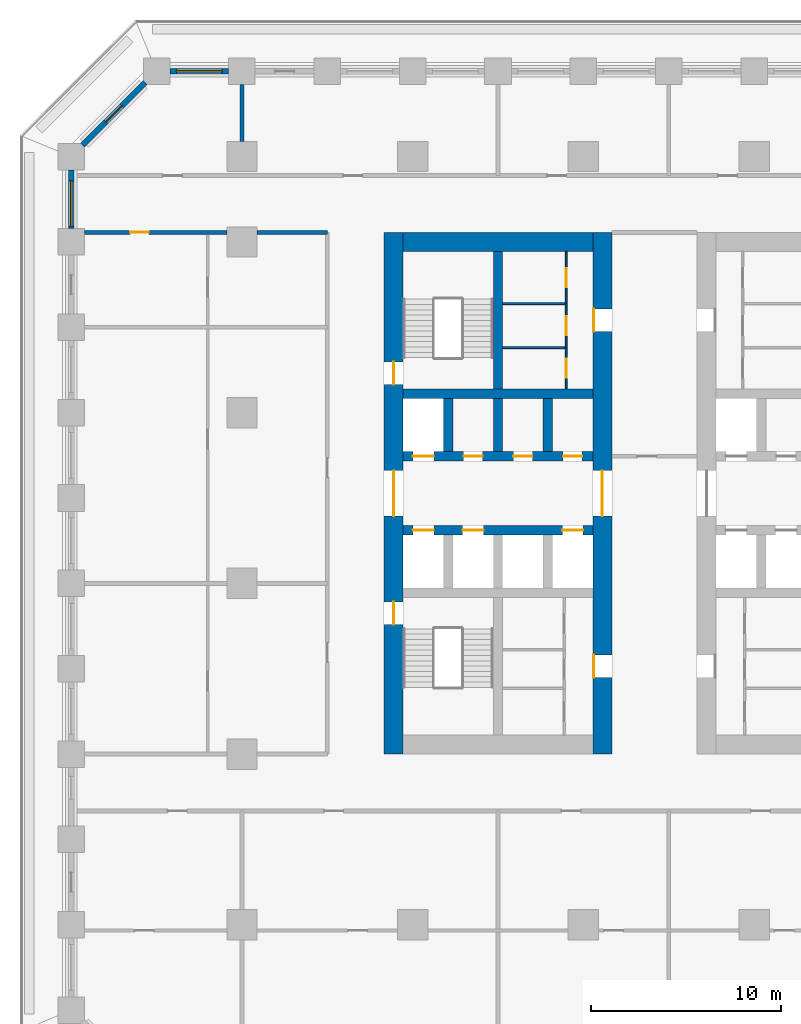
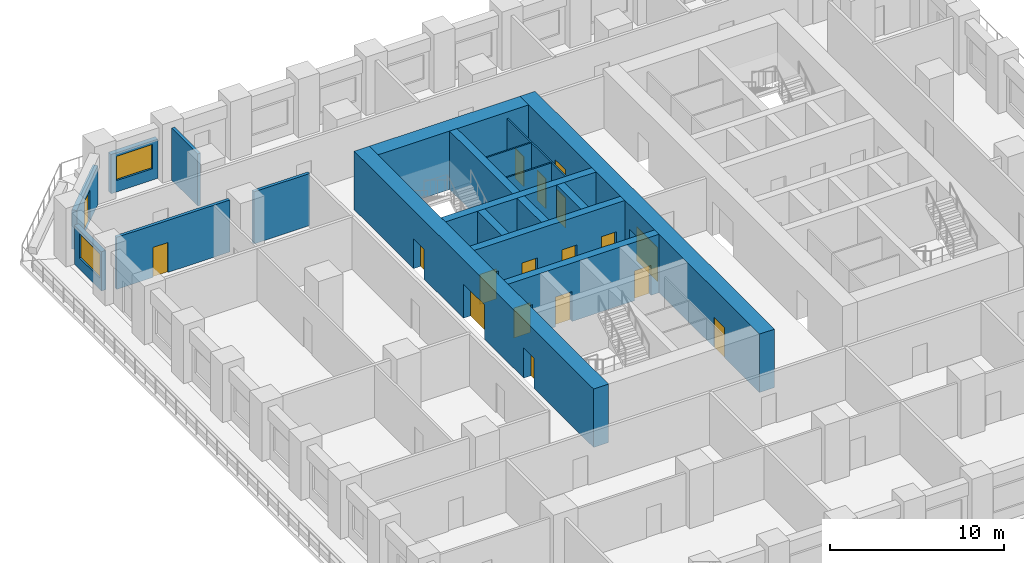
# One storey, part 28 of 42: 21 walls, 18 doors, 2 windows, 20 openings.
"""IFC4 building model written with IfcOpenShell, lengths in metres."""

from ifc_helpers import new_model, si_unit, direction, frame, frame_2d, origin, place, context, subcontext, project, spatial, rectangle, extrude, material, layer, layer_set, type_object, element, fill, save


model = new_model("IFC4")

# Units and contexts
model_context = context("Model", 3, precision=1e-05, world=origin(), true_north=direction((0.0, 1.0)))
body_context = subcontext(model_context, "Body", "Model", "MODEL_VIEW")
ifc_project = project(units=[si_unit("LENGTHUNIT", "METRE"), si_unit("AREAUNIT", "SQUARE_METRE"), si_unit("VOLUMEUNIT", "CUBIC_METRE"), si_unit("PLANEANGLEUNIT", "RADIAN"), si_unit("MASSUNIT", "GRAM", prefix="KILO")], contexts=[model_context])

# Site, building, storey
site_placement = place(None, origin())
site = spatial("IfcSite", under=ifc_project, at=site_placement, CompositionType="ELEMENT")
building_placement = place(site_placement, origin())
building = spatial("IfcBuilding", under=site, at=building_placement, Name="Corbel Stack Research Tower", CompositionType="ELEMENT")
storey_placement = place(building_placement, frame((0.0, 0.0, 11.300048828125)))
storey = spatial("IfcBuildingStorey", under=building, at=storey_placement, Name="L02", CompositionType="ELEMENT", Elevation=11.300048828125)

# Wall, openings, doors
ifc_material_1 = material(Name="Concrete C70/85", Category="concrete")
ifc_layer_1 = layer(ifc_material_1, 1.0)
ifc_layer_set_1 = layer_set([ifc_layer_1], Name="Concrete C70/85")
wall_type_1 = type_object("IfcWallType", Name="CW-1000-70", PredefinedType="SHEAR", material=ifc_layer_set_1)
wall_1_placement = place(storey_placement, frame((-10.0, -9.0, 0.0), z_axis=(0.0, 0.0, 1.0), x_axis=(0.0, 1.0, 0.0)))
wall_1 = element("IfcWall", 1, at=wall_1_placement, inside=storey, type_object=wall_type_1, Name="West core wall, west face L02", PredefinedType="SHEAR", context=body_context, shape_type="SweptSolid", body=[
    extrude(rectangle(XDim=27.5, YDim=1.0, at=frame_2d((13.75, 0.0))), origin(), (0.0, 0.0, 1.0), 4.099853515625),
])
opening_1_placement = place(wall_1_placement, frame((12.550048828125, 0.0, 0.0)))
opening_1 = element("IfcOpeningElement", 2, at=opening_1_placement, cuts=wall_1, Name="Opening CD-W-W", PredefinedType="OPENING", context=body_context, shape_type="SweptSolid", body=[
    extrude(rectangle(XDim=2.39990234375, YDim=2.39990234375, at=frame_2d((1.199951171875, 1.199951171875))), frame((0.0, 0.510009765625, 0.0), z_axis=(0.0, -1.0, 0.0), x_axis=(1.0, 0.0, 0.0)), (0.0, 0.0, 1.0), 1.02001953125),
])
opening_2_placement = place(wall_1_placement, frame((6.824951171875, 0.0, 0.0)))
opening_2 = element("IfcOpeningElement", 3, at=opening_2_placement, cuts=wall_1, Name="Opening SD-ST-W1", PredefinedType="OPENING", context=body_context, shape_type="SweptSolid", body=[
    extrude(rectangle(XDim=1.199951171875, YDim=2.10009765625, at=frame_2d((0.60009765625, 1.050048828125))), frame((0.0, 0.510009765625, 0.0), z_axis=(0.0, -1.0, 0.0), x_axis=(1.0, 0.0, 0.0)), (0.0, 0.0, 1.0), 1.02001953125),
])
opening_3_placement = place(wall_1_placement, frame((19.47509765625, 0.0, 0.0)))
opening_3 = element("IfcOpeningElement", 4, at=opening_3_placement, cuts=wall_1, Name="Opening SD-ST-W2", PredefinedType="OPENING", context=body_context, shape_type="SweptSolid", body=[
    extrude(rectangle(XDim=1.199951171875, YDim=2.10009765625, at=frame_2d((0.60009765625, 1.050048828125))), frame((0.0, 0.510009765625, 0.0), z_axis=(0.0, -1.0, 0.0), x_axis=(1.0, 0.0, 0.0)), (0.0, 0.0, 1.0), 1.02001953125),
])
ifc_material_2 = material(Name="Painted steel fire door", Category="steel")
door_type_1 = type_object("IfcDoorType", Name="Lobby door pair 2400 x 2400 FD30S", OperationType="DOUBLE_DOOR_DOUBLE_SWING", PredefinedType="DOOR", material=ifc_material_2)
door_1_placement = place(opening_1_placement, origin())
door_1 = element("IfcDoor", 5, at=door_1_placement, inside=storey, type_object=door_type_1, Name="Lift lobby door W core W", OperationType="DOUBLE_DOOR_DOUBLE_SWING", OverallHeight=2.39990234375, OverallWidth=2.39990234375, PredefinedType="DOOR", context=body_context, shape_type="SweptSolid", body=[
    extrude(rectangle(XDim=2.39990234375, YDim=2.39990234375, at=frame_2d((1.199951171875, 1.199951171875))), frame((0.0, 0.02490234375, 0.0), z_axis=(0.0, -1.0, 0.0), x_axis=(1.0, 0.0, 0.0)), (0.0, 0.0, 1.0), 0.050048828125),
])
fill(opening_1, door_1)
ifc_material_3 = material(Name="Painted steel fire door", Category="steel")
door_type_2 = type_object("IfcDoorType", Name="Stair door 1200 x 2100 FD90 left hand", OperationType="SINGLE_SWING_LEFT", PredefinedType="DOOR", material=ifc_material_3)
door_2_placement = place(opening_2_placement, origin())
door_2 = element("IfcDoor", 6, at=door_2_placement, inside=storey, type_object=door_type_2, Name="Stair door ST-W1", OperationType="SINGLE_SWING_LEFT", OverallHeight=2.10009765625, OverallWidth=1.199951171875, PredefinedType="DOOR", context=body_context, shape_type="SweptSolid", body=[
    extrude(rectangle(XDim=1.199951171875, YDim=2.10009765625, at=frame_2d((0.60009765625, 1.050048828125))), frame((0.0, 0.02490234375, 0.0), z_axis=(0.0, -1.0, 0.0), x_axis=(1.0, 0.0, 0.0)), (0.0, 0.0, 1.0), 0.050048828125),
])
fill(opening_2, door_2)
door_3_placement = place(opening_3_placement, origin())
door_3 = element("IfcDoor", 7, at=door_3_placement, inside=storey, type_object=door_type_2, Name="Stair door ST-W2", OperationType="SINGLE_SWING_LEFT", OverallHeight=2.10009765625, OverallWidth=1.199951171875, PredefinedType="DOOR", context=body_context, shape_type="SweptSolid", body=[
    extrude(rectangle(XDim=1.199951171875, YDim=2.10009765625, at=frame_2d((0.60009765625, 1.050048828125))), frame((0.0, 0.02490234375, 0.0), z_axis=(0.0, -1.0, 0.0), x_axis=(1.0, 0.0, 0.0)), (0.0, 0.0, 1.0), 0.050048828125),
])
fill(opening_3, door_3)

wall_2_placement = place(storey_placement, frame((1.0, -9.0, 0.0), z_axis=(0.0, 0.0, 1.0), x_axis=(0.0, 1.0, 0.0)))
wall_2 = element("IfcWall", 8, at=wall_2_placement, inside=storey, type_object=wall_type_1, Name="West core wall, east face L02", PredefinedType="SHEAR", context=body_context, shape_type="SweptSolid", body=[
    extrude(rectangle(XDim=27.5, YDim=1.0, at=frame_2d((13.75, 0.0))), origin(), (0.0, 0.0, 1.0), 4.099853515625),
])
opening_4_placement = place(wall_2_placement, frame((12.550048828125, 0.0, 0.0)))
opening_4 = element("IfcOpeningElement", 9, at=opening_4_placement, cuts=wall_2, Name="Opening CD-W-E", PredefinedType="OPENING", context=body_context, shape_type="SweptSolid", body=[
    extrude(rectangle(XDim=2.39990234375, YDim=2.39990234375, at=frame_2d((1.199951171875, 1.199951171875))), frame((0.0, 0.510009765625, 0.0), z_axis=(0.0, -1.0, 0.0), x_axis=(1.0, 0.0, 0.0)), (0.0, 0.0, 1.0), 1.02001953125),
])
opening_5_placement = place(wall_2_placement, frame((4.02490234375, 0.0, 0.0)))
opening_5 = element("IfcOpeningElement", 10, at=opening_5_placement, cuts=wall_2, Name="Opening CR-W12-W1-1200", PredefinedType="OPENING", context=body_context, shape_type="SweptSolid", body=[
    extrude(rectangle(XDim=1.199951171875, YDim=2.10009765625, at=frame_2d((0.60009765625, 1.050048828125))), frame((0.0, 0.510009765625, 0.0), z_axis=(0.0, -1.0, 0.0), x_axis=(1.0, 0.0, 0.0)), (0.0, 0.0, 1.0), 1.02001953125),
])
opening_6_placement = place(wall_2_placement, frame((22.27490234375, 0.0, 0.0)))
opening_6 = element("IfcOpeningElement", 11, at=opening_6_placement, cuts=wall_2, Name="Opening CR-W12-R1-1200", PredefinedType="OPENING", context=body_context, shape_type="SweptSolid", body=[
    extrude(rectangle(XDim=1.199951171875, YDim=2.10009765625, at=frame_2d((0.60009765625, 1.050048828125))), frame((0.0, 0.510009765625, 0.0), z_axis=(0.0, -1.0, 0.0), x_axis=(1.0, 0.0, 0.0)), (0.0, 0.0, 1.0), 1.02001953125),
])
door_4_placement = place(opening_4_placement, origin())
door_4 = element("IfcDoor", 12, at=door_4_placement, inside=storey, type_object=door_type_1, Name="Lift lobby door W core E", OperationType="DOUBLE_DOOR_DOUBLE_SWING", OverallHeight=2.39990234375, OverallWidth=2.39990234375, PredefinedType="DOOR", context=body_context, shape_type="SweptSolid", body=[
    extrude(rectangle(XDim=2.39990234375, YDim=2.39990234375, at=frame_2d((1.199951171875, 1.199951171875))), frame((0.0, 0.02490234375, 0.0), z_axis=(0.0, -1.0, 0.0), x_axis=(1.0, 0.0, 0.0)), (0.0, 0.0, 1.0), 0.050048828125),
])
fill(opening_4, door_4)
ifc_material_4 = material(Name="Painted steel door", Category="steel")
door_type_3 = type_object("IfcDoorType", Name="Service door 1200 x 2100 FD30 left hand", OperationType="SINGLE_SWING_LEFT", PredefinedType="DOOR", material=ifc_material_4)
door_5_placement = place(opening_6_placement, origin())
door_5 = element("IfcDoor", 13, at=door_5_placement, inside=storey, type_object=door_type_3, Name="Service passage door W core", OperationType="SINGLE_SWING_LEFT", OverallHeight=2.10009765625, OverallWidth=1.199951171875, PredefinedType="DOOR", context=body_context, shape_type="SweptSolid", body=[
    extrude(rectangle(XDim=1.199951171875, YDim=2.10009765625, at=frame_2d((0.60009765625, 1.050048828125))), frame((0.0, 0.47509765625, 0.0), z_axis=(0.0, -1.0, 0.0), x_axis=(1.0, 0.0, 0.0)), (0.0, 0.0, 1.0), 0.050048828125),
])
fill(opening_6, door_5)
ifc_material_5 = material(Name="Painted timber door", Category="wood")
door_type_4 = type_object("IfcDoorType", Name="WC door 1200 x 2100 left hand", OperationType="SINGLE_SWING_LEFT", PredefinedType="DOOR", material=ifc_material_5)
door_6_placement = place(opening_5_placement, origin())
door_6 = element("IfcDoor", 14, at=door_6_placement, inside=storey, type_object=door_type_4, Name="WC lobby door W core", OperationType="SINGLE_SWING_LEFT", OverallHeight=2.10009765625, OverallWidth=1.199951171875, PredefinedType="DOOR", context=body_context, shape_type="SweptSolid", body=[
    extrude(rectangle(XDim=1.199951171875, YDim=2.10009765625, at=frame_2d((0.60009765625, 1.050048828125))), frame((0.0, 0.47509765625, 0.0), z_axis=(0.0, -1.0, 0.0), x_axis=(1.0, 0.0, 0.0)), (0.0, 0.0, 1.0), 0.050048828125),
])
fill(opening_5, door_6)

# Wall
wall_3_placement = place(storey_placement, frame((-9.5, 18.0, 0.0), z_axis=(0.0, 0.0, 1.0), x_axis=(1.0, 0.0, 0.0)))
element("IfcWall", 15, at=wall_3_placement, inside=storey, type_object=wall_type_1, Name="West core wall, north end L02", PredefinedType="SHEAR", context=body_context, shape_type="SweptSolid", body=[
    extrude(rectangle(XDim=10.0, YDim=1.0, at=frame_2d((5.0, 0.0))), origin(), (0.0, 0.0, 1.0), 4.099853515625),
])

# Wall, openings, doors
ifc_material_6 = material(Name="Concrete C70/85", Category="concrete")
ifc_layer_2 = layer(ifc_material_6, 0.5)
ifc_layer_set_2 = layer_set([ifc_layer_2], Name="Concrete C70/85")
wall_type_2 = type_object("IfcWallType", Name="CW-500-70", PredefinedType="SHEAR", material=ifc_layer_set_2)
wall_4_placement = place(storey_placement, frame((-9.5, 2.800048828125, 0.0), z_axis=(0.0, 0.0, 1.0), x_axis=(1.0, 0.0, 0.0)))
wall_4 = element("IfcWall", 16, at=wall_4_placement, inside=storey, type_object=wall_type_2, Name="West core wall, lobby south L02", PredefinedType="SHEAR", context=body_context, shape_type="SweptSolid", body=[
    extrude(rectangle(XDim=10.0, YDim=0.5, at=frame_2d((5.0, 0.0))), origin(), (0.0, 0.0, 1.0), 4.099853515625),
])
opening_7_placement = place(wall_4_placement, frame((0.512451171875, 0.0, 0.0)))
opening_7 = element("IfcOpeningElement", 17, at=opening_7_placement, cuts=wall_4, Name="Opening LD-FS1", PredefinedType="OPENING", context=body_context, shape_type="SweptSolid", body=[
    extrude(rectangle(XDim=1.10009765625, YDim=2.10009765625, at=frame_2d((0.550048828125, 1.050048828125))), frame((0.0, 0.260009765625, 0.0), z_axis=(0.0, -1.0, 0.0), x_axis=(1.0, 0.0, 0.0)), (0.0, 0.0, 1.0), 0.52001953125),
])
opening_8_placement = place(wall_4_placement, frame((3.137451171875, 0.0, 0.0)))
opening_8 = element("IfcOpeningElement", 18, at=opening_8_placement, cuts=wall_4, Name="Opening LD-GL1", PredefinedType="OPENING", context=body_context, shape_type="SweptSolid", body=[
    extrude(rectangle(XDim=1.10009765625, YDim=2.10009765625, at=frame_2d((0.550048828125, 1.050048828125))), frame((0.0, 0.260009765625, 0.0), z_axis=(0.0, -1.0, 0.0), x_axis=(1.0, 0.0, 0.0)), (0.0, 0.0, 1.0), 0.52001953125),
])
opening_9_placement = place(wall_4_placement, frame((8.387451171875, 0.0, 0.0)))
opening_9 = element("IfcOpeningElement", 19, at=opening_9_placement, cuts=wall_4, Name="Opening LD-LR1", PredefinedType="OPENING", context=body_context, shape_type="SweptSolid", body=[
    extrude(rectangle(XDim=1.10009765625, YDim=2.10009765625, at=frame_2d((0.550048828125, 1.050048828125))), frame((0.0, 0.260009765625, 0.0), z_axis=(0.0, -1.0, 0.0), x_axis=(1.0, 0.0, 0.0)), (0.0, 0.0, 1.0), 0.52001953125),
])
ifc_material_7 = material(Name="Stainless steel landing door", Category="steel")
door_type_5 = type_object("IfcDoorType", Name="Lift landing door 1100 x 2100", OperationType="DOUBLE_DOOR_SLIDING", PredefinedType="DOOR", material=ifc_material_7)
door_7_placement = place(opening_7_placement, origin())
door_7 = element("IfcDoor", 20, at=door_7_placement, inside=storey, type_object=door_type_5, Name="Landing door FS1", OperationType="DOUBLE_DOOR_SLIDING", OverallHeight=2.10009765625, OverallWidth=1.10009765625, PredefinedType="DOOR", context=body_context, shape_type="SweptSolid", body=[
    extrude(rectangle(XDim=1.10009765625, YDim=2.10009765625, at=frame_2d((0.550048828125, 1.050048828125))), frame((0.0, 0.02490234375, 0.0), z_axis=(0.0, -1.0, 0.0), x_axis=(1.0, 0.0, 0.0)), (0.0, 0.0, 1.0), 0.050048828125),
])
fill(opening_7, door_7)
door_8_placement = place(opening_8_placement, origin())
door_8 = element("IfcDoor", 21, at=door_8_placement, inside=storey, type_object=door_type_5, Name="Landing door GL1", OperationType="DOUBLE_DOOR_SLIDING", OverallHeight=2.10009765625, OverallWidth=1.10009765625, PredefinedType="DOOR", context=body_context, shape_type="SweptSolid", body=[
    extrude(rectangle(XDim=1.10009765625, YDim=2.10009765625, at=frame_2d((0.550048828125, 1.050048828125))), frame((0.0, 0.02490234375, 0.0), z_axis=(0.0, -1.0, 0.0), x_axis=(1.0, 0.0, 0.0)), (0.0, 0.0, 1.0), 0.050048828125),
])
fill(opening_8, door_8)
door_9_placement = place(opening_9_placement, origin())
door_9 = element("IfcDoor", 22, at=door_9_placement, inside=storey, type_object=door_type_5, Name="Landing door LR1", OperationType="DOUBLE_DOOR_SLIDING", OverallHeight=2.10009765625, OverallWidth=1.10009765625, PredefinedType="DOOR", context=body_context, shape_type="SweptSolid", body=[
    extrude(rectangle(XDim=1.10009765625, YDim=2.10009765625, at=frame_2d((0.550048828125, 1.050048828125))), frame((0.0, 0.02490234375, 0.0), z_axis=(0.0, -1.0, 0.0), x_axis=(1.0, 0.0, 0.0)), (0.0, 0.0, 1.0), 0.050048828125),
])
fill(opening_9, door_9)

wall_5_placement = place(storey_placement, frame((-9.5, 6.699951171875, 0.0), z_axis=(0.0, 0.0, 1.0), x_axis=(1.0, 0.0, 0.0)))
wall_5 = element("IfcWall", 23, at=wall_5_placement, inside=storey, type_object=wall_type_2, Name="West core wall, lobby north L02", PredefinedType="SHEAR", context=body_context, shape_type="SweptSolid", body=[
    extrude(rectangle(XDim=10.0, YDim=0.5, at=frame_2d((5.0, 0.0))), origin(), (0.0, 0.0, 1.0), 4.099853515625),
])
opening_10_placement = place(wall_5_placement, frame((0.512451171875, 0.0, 0.0)))
opening_10 = element("IfcOpeningElement", 24, at=opening_10_placement, cuts=wall_5, Name="Opening LD-LR2", PredefinedType="OPENING", context=body_context, shape_type="SweptSolid", body=[
    extrude(rectangle(XDim=1.10009765625, YDim=2.10009765625, at=frame_2d((0.550048828125, 1.050048828125))), frame((0.0, 0.260009765625, 0.0), z_axis=(0.0, -1.0, 0.0), x_axis=(1.0, 0.0, 0.0)), (0.0, 0.0, 1.0), 0.52001953125),
])
opening_11_placement = place(wall_5_placement, frame((3.1875, 0.0, 0.0)))
opening_11 = element("IfcOpeningElement", 25, at=opening_11_placement, cuts=wall_5, Name="Opening CR-W12-N2", PredefinedType="OPENING", context=body_context, shape_type="SweptSolid", body=[
    extrude(rectangle(XDim=1.0, YDim=2.10009765625, at=frame_2d((0.5, 1.050048828125))), frame((0.0, 0.260009765625, 0.0), z_axis=(0.0, -1.0, 0.0), x_axis=(1.0, 0.0, 0.0)), (0.0, 0.0, 1.0), 0.52001953125),
])
opening_12_placement = place(wall_5_placement, frame((5.8125, 0.0, 0.0)))
opening_12 = element("IfcOpeningElement", 26, at=opening_12_placement, cuts=wall_5, Name="Opening CR-W12-N3", PredefinedType="OPENING", context=body_context, shape_type="SweptSolid", body=[
    extrude(rectangle(XDim=1.0, YDim=2.10009765625, at=frame_2d((0.5, 1.050048828125))), frame((0.0, 0.260009765625, 0.0), z_axis=(0.0, -1.0, 0.0), x_axis=(1.0, 0.0, 0.0)), (0.0, 0.0, 1.0), 0.52001953125),
])
opening_13_placement = place(wall_5_placement, frame((8.4375, 0.0, 0.0)))
opening_13 = element("IfcOpeningElement", 27, at=opening_13_placement, cuts=wall_5, Name="Opening CR-W12-N4", PredefinedType="OPENING", context=body_context, shape_type="SweptSolid", body=[
    extrude(rectangle(XDim=1.0, YDim=2.10009765625, at=frame_2d((0.5, 1.050048828125))), frame((0.0, 0.260009765625, 0.0), z_axis=(0.0, -1.0, 0.0), x_axis=(1.0, 0.0, 0.0)), (0.0, 0.0, 1.0), 0.52001953125),
])
door_10_placement = place(opening_10_placement, origin())
door_10 = element("IfcDoor", 28, at=door_10_placement, inside=storey, type_object=door_type_5, Name="Landing door LR2", OperationType="DOUBLE_DOOR_SLIDING", OverallHeight=2.10009765625, OverallWidth=1.10009765625, PredefinedType="DOOR", context=body_context, shape_type="SweptSolid", body=[
    extrude(rectangle(XDim=1.10009765625, YDim=2.10009765625, at=frame_2d((0.550048828125, 1.050048828125))), frame((0.0, 0.02490234375, 0.0), z_axis=(0.0, -1.0, 0.0), x_axis=(1.0, 0.0, 0.0)), (0.0, 0.0, 1.0), 0.050048828125),
])
fill(opening_10, door_10)
ifc_material_8 = material(Name="Painted steel door", Category="steel")
door_type_6 = type_object("IfcDoorType", Name="Service door 1000 x 2100 FD60 left hand", OperationType="SINGLE_SWING_LEFT", PredefinedType="DOOR", material=ifc_material_8)
door_11_placement = place(opening_12_placement, origin())
door_11 = element("IfcDoor", 29, at=door_11_placement, inside=storey, type_object=door_type_6, Name="Laboratory consumables store door W core", OperationType="SINGLE_SWING_LEFT", OverallHeight=2.10009765625, OverallWidth=1.0, PredefinedType="DOOR", context=body_context, shape_type="SweptSolid", body=[
    extrude(rectangle(XDim=1.0, YDim=2.10009765625, at=frame_2d((0.5, 1.050048828125))), frame((0.0, 0.02490234375, 0.0), z_axis=(0.0, -1.0, 0.0), x_axis=(1.0, 0.0, 0.0)), (0.0, 0.0, 1.0), 0.050048828125),
])
fill(opening_12, door_11)
ifc_material_9 = material(Name="Painted steel door", Category="steel")
door_type_7 = type_object("IfcDoorType", Name="Service door 1000 x 2100 FD60 right hand", OperationType="SINGLE_SWING_RIGHT", PredefinedType="DOOR", material=ifc_material_9)
door_12_placement = place(opening_11_placement, origin())
door_12 = element("IfcDoor", 30, at=door_12_placement, inside=storey, type_object=door_type_7, Name="Staff WC door W core", OperationType="SINGLE_SWING_RIGHT", OverallHeight=2.10009765625, OverallWidth=1.0, PredefinedType="DOOR", context=body_context, shape_type="SweptSolid", body=[
    extrude(rectangle(XDim=1.0, YDim=2.10009765625, at=frame_2d((0.5, 1.050048828125))), frame((0.0, 0.02490234375, 0.0), z_axis=(0.0, -1.0, 0.0), x_axis=(1.0, 0.0, 0.0)), (0.0, 0.0, 1.0), 0.050048828125),
])
fill(opening_11, door_12)
door_13_placement = place(opening_13_placement, origin())
door_13 = element("IfcDoor", 31, at=door_13_placement, inside=storey, type_object=door_type_7, Name="Cleaner's store door W core", OperationType="SINGLE_SWING_RIGHT", OverallHeight=2.10009765625, OverallWidth=1.0, PredefinedType="DOOR", context=body_context, shape_type="SweptSolid", body=[
    extrude(rectangle(XDim=1.0, YDim=2.10009765625, at=frame_2d((0.5, 1.050048828125))), frame((0.0, 0.02490234375, 0.0), z_axis=(0.0, -1.0, 0.0), x_axis=(1.0, 0.0, 0.0)), (0.0, 0.0, 1.0), 0.050048828125),
])
fill(opening_13, door_13)

# Walls
wall_6_placement = place(storey_placement, frame((-9.5, 10.0, 0.0), z_axis=(0.0, 0.0, 1.0), x_axis=(1.0, 0.0, 0.0)))
element("IfcWall", 32, at=wall_6_placement, inside=storey, type_object=wall_type_2, Name="West core wall, north row back L02", PredefinedType="SHEAR", context=body_context, shape_type="SweptSolid", body=[
    extrude(rectangle(XDim=10.0, YDim=0.5, at=frame_2d((5.0, 0.0))), origin(), (0.0, 0.0, 1.0), 4.099853515625),
])
for number, where, z_axis, x_axis, name in (
    (33, (-7.125, 6.949951171875, 0.0), (0.0, 0.0, 1.0), (0.0, 1.0, 0.0), "West core wall, north shaft 1 L02"),
    (34, (-4.5, 6.949951171875, 0.0), (0.0, 0.0, 1.0), (0.0, 1.0, 0.0), "West core wall, north shaft 2 L02"),
    (35, (-1.875, 6.949951171875, 0.0), (0.0, 0.0, 1.0), (0.0, 1.0, 0.0), "West core wall, north shaft 3 L02"),
):
    element("IfcWall", number, at=place(storey_placement, frame(where, z_axis=z_axis, x_axis=x_axis)), inside=storey, type_object=wall_type_2, Name=name, PredefinedType="SHEAR", context=body_context, shape_type="SweptSolid", body=[
        extrude(rectangle(XDim=2.800048828125, YDim=0.5, at=frame_2d((1.39990234375, 0.0))), origin(), (0.0, 0.0, 1.0), 4.099853515625),
    ])
wall_7_placement = place(storey_placement, frame((-4.5, 10.25, 0.0), z_axis=(0.0, 0.0, 1.0), x_axis=(0.0, 1.0, 0.0)))
element("IfcWall", 36, at=wall_7_placement, inside=storey, type_object=wall_type_2, Name="West core wall, north stair and riser L02", PredefinedType="SHEAR", context=body_context, shape_type="SweptSolid", body=[
    extrude(rectangle(XDim=7.25, YDim=0.5, at=frame_2d((3.625, 0.0))), origin(), (0.0, 0.0, 1.0), 4.099853515625),
])

# Wall, opening, door
ifc_material_10 = material(Name="Gypsum board")
ifc_layer_3 = layer(ifc_material_10, 0.10009765625)
ifc_layer_set_3 = layer_set([ifc_layer_3], Name="Gypsum board")
wall_type_3 = type_object("IfcWallType", Name="Core partition 100", PredefinedType="PARTITIONING", material=ifc_layer_set_3)
wall_8_placement = place(storey_placement, frame((-0.89990234375, 10.25, 0.0), z_axis=(0.0, 0.0, 1.0), x_axis=(0.0, 1.0, 0.0)))
wall_8 = element("IfcWall", 37, at=wall_8_placement, inside=storey, type_object=wall_type_3, Name="Core partition W", PredefinedType="PARTITIONING", context=body_context, shape_type="SweptSolid", body=[
    extrude(rectangle(XDim=2.175048828125, YDim=0.10009765625, at=frame_2d((1.08740234375, 0.0))), origin(), (0.0, 0.0, 1.0), 3.64990234375),
])
opening_14_placement = place(wall_8_placement, frame((0.58740234375, 0.0, 0.0)))
opening_14 = element("IfcOpeningElement", 38, at=opening_14_placement, cuts=wall_8, Name="Opening CR-W12-R2-1000", PredefinedType="OPENING", context=body_context, shape_type="SweptSolid", body=[
    extrude(rectangle(XDim=1.0, YDim=2.10009765625, at=frame_2d((0.5, 1.050048828125))), frame((0.0, 0.06005859375, 0.0), z_axis=(0.0, -1.0, 0.0), x_axis=(1.0, 0.0, 0.0)), (0.0, 0.0, 1.0), 0.1201171875),
])
ifc_material_11 = material(Name="Painted steel door", Category="steel")
door_type_8 = type_object("IfcDoorType", Name="Riser door 1000 x 2100 FD60 right hand", OperationType="SINGLE_SWING_RIGHT", PredefinedType="DOOR", material=ifc_material_11)
door_14_placement = place(opening_14_placement, origin())
door_14 = element("IfcDoor", 39, at=door_14_placement, inside=storey, type_object=door_type_8, Name="Mechanical riser door W core", OperationType="SINGLE_SWING_RIGHT", OverallHeight=2.10009765625, OverallWidth=1.0, PredefinedType="DOOR", context=body_context, shape_type="SweptSolid", body=[
    extrude(rectangle(XDim=1.0, YDim=2.10009765625, at=frame_2d((0.5, 1.050048828125))), frame((0.0, 0.02490234375, 0.0), z_axis=(0.0, -1.0, 0.0), x_axis=(1.0, 0.0, 0.0)), (0.0, 0.0, 1.0), 0.050048828125),
])
fill(opening_14, door_14)

wall_9_placement = place(storey_placement, frame((-0.89990234375, 12.425048828125, 0.0), z_axis=(0.0, 0.0, 1.0), x_axis=(0.0, 1.0, 0.0)))
wall_9 = element("IfcWall", 40, at=wall_9_placement, inside=storey, type_object=wall_type_3, Name="Core partition W", PredefinedType="PARTITIONING", context=body_context, shape_type="SweptSolid", body=[
    extrude(rectangle(XDim=2.320068359375, YDim=0.10009765625, at=frame_2d((1.16015625, 0.0))), origin(), (0.0, 0.0, 1.0), 3.64990234375),
])
opening_15_placement = place(wall_9_placement, frame((0.659912109375, 0.0, 0.0)))
opening_15 = element("IfcOpeningElement", 41, at=opening_15_placement, cuts=wall_9, Name="Opening CR-W12-R3-1000", PredefinedType="OPENING", context=body_context, shape_type="SweptSolid", body=[
    extrude(rectangle(XDim=1.0, YDim=2.10009765625, at=frame_2d((0.5, 1.050048828125))), frame((0.0, 0.06005859375, 0.0), z_axis=(0.0, -1.0, 0.0), x_axis=(1.0, 0.0, 0.0)), (0.0, 0.0, 1.0), 0.1201171875),
])
ifc_material_12 = material(Name="Painted steel door", Category="steel")
door_type_9 = type_object("IfcDoorType", Name="Service door 1000 x 2100 FD30 left hand", OperationType="SINGLE_SWING_LEFT", PredefinedType="DOOR", material=ifc_material_12)
door_15_placement = place(opening_15_placement, origin())
door_15 = element("IfcDoor", 42, at=door_15_placement, inside=storey, type_object=door_type_9, Name="Pantry door W core", OperationType="SINGLE_SWING_LEFT", OverallHeight=2.10009765625, OverallWidth=1.0, PredefinedType="DOOR", context=body_context, shape_type="SweptSolid", body=[
    extrude(rectangle(XDim=1.0, YDim=2.10009765625, at=frame_2d((0.5, 1.050048828125))), frame((0.0, 0.02490234375, 0.0), z_axis=(0.0, -1.0, 0.0), x_axis=(1.0, 0.0, 0.0)), (0.0, 0.0, 1.0), 0.050048828125),
])
fill(opening_15, door_15)

wall_10_placement = place(storey_placement, frame((-0.89990234375, 14.7451171875, 0.0), z_axis=(0.0, 0.0, 1.0), x_axis=(0.0, 1.0, 0.0)))
wall_10 = element("IfcWall", 43, at=wall_10_placement, inside=storey, type_object=wall_type_3, Name="Core partition W", PredefinedType="PARTITIONING", context=body_context, shape_type="SweptSolid", body=[
    extrude(rectangle(XDim=2.7548828125, YDim=0.10009765625, at=frame_2d((1.37744140625, 0.0))), origin(), (0.0, 0.0, 1.0), 3.64990234375),
])
opening_16_placement = place(wall_10_placement, frame((0.87744140625, 0.0, 0.0)))
opening_16 = element("IfcOpeningElement", 44, at=opening_16_placement, cuts=wall_10, Name="Opening CR-W12-R4-1000", PredefinedType="OPENING", context=body_context, shape_type="SweptSolid", body=[
    extrude(rectangle(XDim=1.0, YDim=2.10009765625, at=frame_2d((0.5, 1.050048828125))), frame((0.0, 0.06005859375, 0.0), z_axis=(0.0, -1.0, 0.0), x_axis=(1.0, 0.0, 0.0)), (0.0, 0.0, 1.0), 0.1201171875),
])
door_16_placement = place(opening_16_placement, origin())
door_16 = element("IfcDoor", 45, at=door_16_placement, inside=storey, type_object=door_type_8, Name="Electrical riser door W core", OperationType="SINGLE_SWING_RIGHT", OverallHeight=2.10009765625, OverallWidth=1.0, PredefinedType="DOOR", context=body_context, shape_type="SweptSolid", body=[
    extrude(rectangle(XDim=1.0, YDim=2.10009765625, at=frame_2d((0.5, 1.050048828125))), frame((0.0, 0.02490234375, 0.0), z_axis=(0.0, -1.0, 0.0), x_axis=(1.0, 0.0, 0.0)), (0.0, 0.0, 1.0), 0.050048828125),
])
fill(opening_16, door_16)

# Walls
for number, where, z_axis, x_axis, name in (
    (46, (-4.25, 12.425048828125, 0.0), (0.0, 0.0, 1.0), (1.0, 0.0, 0.0), "Core partition W"),
    (47, (-4.25, 14.7451171875, 0.0), (0.0, 0.0, 1.0), (1.0, 0.0, 0.0), "Core partition W"),
):
    element("IfcWall", number, at=place(storey_placement, frame(where, z_axis=z_axis, x_axis=x_axis)), inside=storey, type_object=wall_type_3, Name=name, PredefinedType="PARTITIONING", context=body_context, shape_type="SweptSolid", body=[
        extrude(rectangle(XDim=3.35009765625, YDim=0.10009765625, at=frame_2d((1.675048828125, 0.0))), origin(), (0.0, 0.0, 1.0), 3.64990234375),
    ])
ifc_material_13 = material(Name="Fire-rated gypsum board partition on steel studs", Category="steel")
ifc_layer_4 = layer(ifc_material_13, 0.199951171875)
ifc_layer_set_4 = layer_set([ifc_layer_4], Name="Fire-rated gypsum board partition on steel studs")
wall_type_4 = type_object("IfcWallType", Name="Fire-rated partition 200 EI 60", PredefinedType="PARTITIONING", material=ifc_layer_set_4)
wall_11_placement = place(storey_placement, frame((-18.0, 23.300048828125, 0.0), z_axis=(0.0, 0.0, 1.0), x_axis=(0.0, 1.0, 0.0)))
element("IfcWall", 48, at=wall_11_placement, inside=storey, type_object=wall_type_4, Name="Partition L02-004", PredefinedType="PARTITIONING", context=body_context, shape_type="SweptSolid", body=[
    extrude(rectangle(XDim=3.0, YDim=0.199951171875, at=frame_2d((1.5, 0.0))), origin(), (0.0, 0.0, 1.0), 3.64990234375),
])

# Wall, opening, door
wall_12_placement = place(storey_placement, frame((-18.800048828125, 18.5, 0.0), z_axis=(0.0, 0.0, 1.0), x_axis=(-1.0, 0.0, 0.0)))
wall_12 = element("IfcWall", 49, at=wall_12_placement, inside=storey, type_object=wall_type_4, Name="Partition L02-035", PredefinedType="PARTITIONING", context=body_context, shape_type="SweptSolid", body=[
    extrude(rectangle(XDim=7.5, YDim=0.199951171875, at=frame_2d((3.75, 0.0))), origin(), (0.0, 0.0, 1.0), 3.64990234375),
])
opening_17_placement = place(wall_12_placement, frame((4.10009765625, 0.0, 0.0)))
opening_17 = element("IfcOpeningElement", 50, at=opening_17_placement, cuts=wall_12, Name="Opening B1V0-019", PredefinedType="OPENING", context=body_context, shape_type="SweptSolid", body=[
    extrude(rectangle(XDim=1.0, YDim=2.10009765625, at=frame_2d((0.5, 1.050048828125))), frame((0.0, 0.10986328125, 0.0), z_axis=(0.0, -1.0, 0.0), x_axis=(1.0, 0.0, 0.0)), (0.0, 0.0, 1.0), 0.219970703125),
])
ifc_material_14 = material(Name="Painted steel fire door", Category="steel")
door_type_10 = type_object("IfcDoorType", Name="Fire door FD30S 1000 x 2100", OperationType="NOTDEFINED", PredefinedType="DOOR", material=ifc_material_14)
door_17_placement = place(opening_17_placement, origin())
door_17 = element("IfcDoor", 51, at=door_17_placement, inside=storey, type_object=door_type_10, Name="Door B1V0-019", OperationType="SINGLE_SWING_RIGHT", OverallHeight=2.10009765625, OverallWidth=1.0, PredefinedType="DOOR", context=body_context, shape_type="SweptSolid", body=[
    extrude(rectangle(XDim=1.0, YDim=2.10009765625, at=frame_2d((0.5, 1.050048828125))), frame((0.0, 0.02490234375, 0.0), z_axis=(0.0, -1.0, 0.0), x_axis=(1.0, 0.0, 0.0)), (0.0, 0.0, 1.0), 0.050048828125),
])
fill(opening_17, door_17)

# Wall
wall_13_placement = place(storey_placement, frame((-17.199951171875, 18.5, 0.0), z_axis=(0.0, 0.0, 1.0), x_axis=(1.0, 0.0, 0.0)))
element("IfcWall", 52, at=wall_13_placement, inside=storey, type_object=wall_type_4, Name="Partition L02-036", PredefinedType="PARTITIONING", context=body_context, shape_type="SweptSolid", body=[
    extrude(rectangle(XDim=3.699951171875, YDim=0.199951171875, at=frame_2d((1.85009765625, 0.0))), origin(), (0.0, 0.0, 1.0), 3.64990234375),
])

# Wall, opening, window
ifc_material_15 = material(Name="Concrete C45/55", Category="concrete")
ifc_layer_5 = layer(ifc_material_15, 0.300048828125)
ifc_layer_set_5 = layer_set([ifc_layer_5], Name="Concrete C45/55")
wall_type_5 = type_object("IfcWallType", Name="Terracotta-faced concrete wall 300", PredefinedType="SOLIDWALL", material=ifc_layer_set_5)
wall_14_placement = place(storey_placement, frame((-21.800048828125, 27.0, 0.0), z_axis=(0.0, 0.0, 1.0), x_axis=(1.0, 0.0, 0.0)))
wall_14 = element("IfcWall", 53, at=wall_14_placement, inside=storey, type_object=wall_type_5, Name="Facade wall L02 N10", PredefinedType="SOLIDWALL", context=body_context, shape_type="SweptSolid", body=[
    extrude(rectangle(XDim=3.10009765625, YDim=0.300048828125, at=frame_2d((1.550048828125, 0.0))), origin(), (0.0, 0.0, 1.0), 2.75),
])
opening_18_placement = place(wall_14_placement, frame((0.35009765625, 0.0, 0.800048828125)))
opening_18 = element("IfcOpeningElement", 54, at=opening_18_placement, cuts=wall_14, Name="Opening W1", PredefinedType="OPENING", context=body_context, shape_type="SweptSolid", body=[
    extrude(rectangle(XDim=2.39990234375, YDim=1.699951171875, at=frame_2d((1.199951171875, 0.85009765625))), frame((0.0, 0.159912109375, 0.0), z_axis=(0.0, -1.0, 0.0), x_axis=(1.0, 0.0, 0.0)), (0.0, 0.0, 1.0), 0.320068359375),
])
ifc_material_16 = material(Name="Aluminium frame, clear double glazing", Category="aluminium")
window_type = type_object("IfcWindowType", Name="Window W1 2400 x 1700", PartitioningType="SINGLE_PANEL", PredefinedType="WINDOW", material=ifc_material_16)
window_1_placement = place(opening_18_placement, origin())
window_1 = element("IfcWindow", 55, at=window_1_placement, inside=storey, type_object=window_type, Name="Window W1 L02 N10", OverallHeight=1.699951171875, OverallWidth=2.39990234375, PartitioningType="SINGLE_PANEL", PredefinedType="WINDOW", context=body_context, shape_type="SweptSolid", body=[
    extrude(rectangle(XDim=2.39990234375, YDim=1.699951171875, at=frame_2d((1.199951171875, 0.85009765625))), frame((0.0, 0.030029296875, 0.0), z_axis=(0.0, -1.0, 0.0), x_axis=(1.0, 0.0, 0.0)), (0.0, 0.0, 1.0), 0.06005859375),
])
fill(opening_18, window_1)

# Wall, opening, door
wall_15_placement = place(storey_placement, frame((-26.406005859375, 23.093994140625, 0.0), z_axis=(0.0, 0.0, 1.0), x_axis=(0.707106781187, 0.707106781187, 0.0)))
wall_15 = element("IfcWall", 56, at=wall_15_placement, inside=storey, type_object=wall_type_5, Name="Facade wall L02 NW01", PredefinedType="SOLIDWALL", context=body_context, shape_type="SweptSolid", body=[
    extrude(rectangle(XDim=4.683837890625, YDim=0.300048828125, at=frame_2d((2.341796875, 0.0))), origin(), (0.0, 0.0, 1.0), 2.75),
])
opening_19_placement = place(wall_15_placement, frame((1.741943359375, 0.0, 0.0)))
opening_19 = element("IfcOpeningElement", 57, at=opening_19_placement, cuts=wall_15, Name="Opening L02-B09", PredefinedType="OPENING", context=body_context, shape_type="SweptSolid", body=[
    extrude(rectangle(XDim=1.199951171875, YDim=2.199951171875, at=frame_2d((0.60009765625, 1.10009765625))), frame((0.0, 0.159912109375, 0.0), z_axis=(0.0, -1.0, 0.0), x_axis=(1.0, 0.0, 0.0)), (0.0, 0.0, 1.0), 0.320068359375),
])
ifc_material_17 = material(Name="Aluminium frame, clear double glazing", Category="aluminium")
door_type_11 = type_object("IfcDoorType", Name="Balcony door BD2 1200 x 2200", OperationType="NOTDEFINED", PredefinedType="DOOR", material=ifc_material_17)
door_18_placement = place(opening_19_placement, origin())
door_18 = element("IfcDoor", 58, at=door_18_placement, inside=storey, type_object=door_type_11, Name="Balcony door L02-B09", OperationType="SINGLE_SWING_LEFT", OverallHeight=2.199951171875, OverallWidth=1.199951171875, PredefinedType="DOOR", context=body_context, shape_type="SweptSolid", body=[
    extrude(rectangle(XDim=1.199951171875, YDim=2.199951171875, at=frame_2d((0.60009765625, 1.10009765625))), frame((0.0, 0.02490234375, 0.0), z_axis=(0.0, -1.0, 0.0), x_axis=(1.0, 0.0, 0.0)), (0.0, 0.0, 1.0), 0.050048828125),
])
fill(opening_19, door_18)

# Wall, opening, window
wall_16_placement = place(storey_placement, frame((-27.0, 18.699951171875, 0.0), z_axis=(0.0, 0.0, 1.0), x_axis=(0.0, 1.0, 0.0)))
wall_16 = element("IfcWall", 59, at=wall_16_placement, inside=storey, type_object=wall_type_5, Name="Facade wall L02 W01", PredefinedType="SOLIDWALL", context=body_context, shape_type="SweptSolid", body=[
    extrude(rectangle(XDim=3.10009765625, YDim=0.300048828125, at=frame_2d((1.550048828125, 0.0))), origin(), (0.0, 0.0, 1.0), 2.75),
])
opening_20_placement = place(wall_16_placement, frame((0.125, 0.0, 0.800048828125)))
opening_20 = element("IfcOpeningElement", 60, at=opening_20_placement, cuts=wall_16, Name="Opening W1", PredefinedType="OPENING", context=body_context, shape_type="SweptSolid", body=[
    extrude(rectangle(XDim=2.39990234375, YDim=1.699951171875, at=frame_2d((1.199951171875, 0.85009765625))), frame((0.0, 0.159912109375, 0.0), z_axis=(0.0, -1.0, 0.0), x_axis=(1.0, 0.0, 0.0)), (0.0, 0.0, 1.0), 0.320068359375),
])
window_2_placement = place(opening_20_placement, origin())
window_2 = element("IfcWindow", 61, at=window_2_placement, inside=storey, type_object=window_type, Name="Window W1 L02 W01", OverallHeight=1.699951171875, OverallWidth=2.39990234375, PartitioningType="SINGLE_PANEL", PredefinedType="WINDOW", context=body_context, shape_type="SweptSolid", body=[
    extrude(rectangle(XDim=2.39990234375, YDim=1.699951171875, at=frame_2d((1.199951171875, 0.85009765625))), frame((0.0, 0.030029296875, 0.0), z_axis=(0.0, -1.0, 0.0), x_axis=(1.0, 0.0, 0.0)), (0.0, 0.0, 1.0), 0.06005859375),
])
fill(opening_20, window_2)

save(model, "model.ifc")
